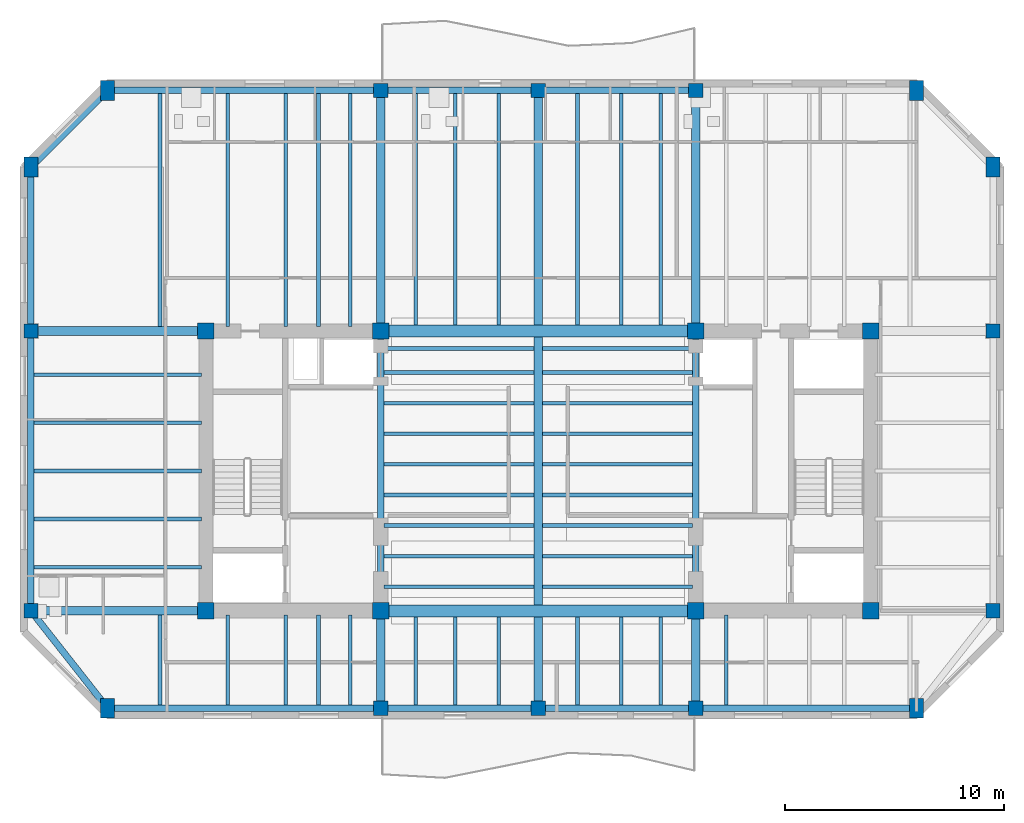
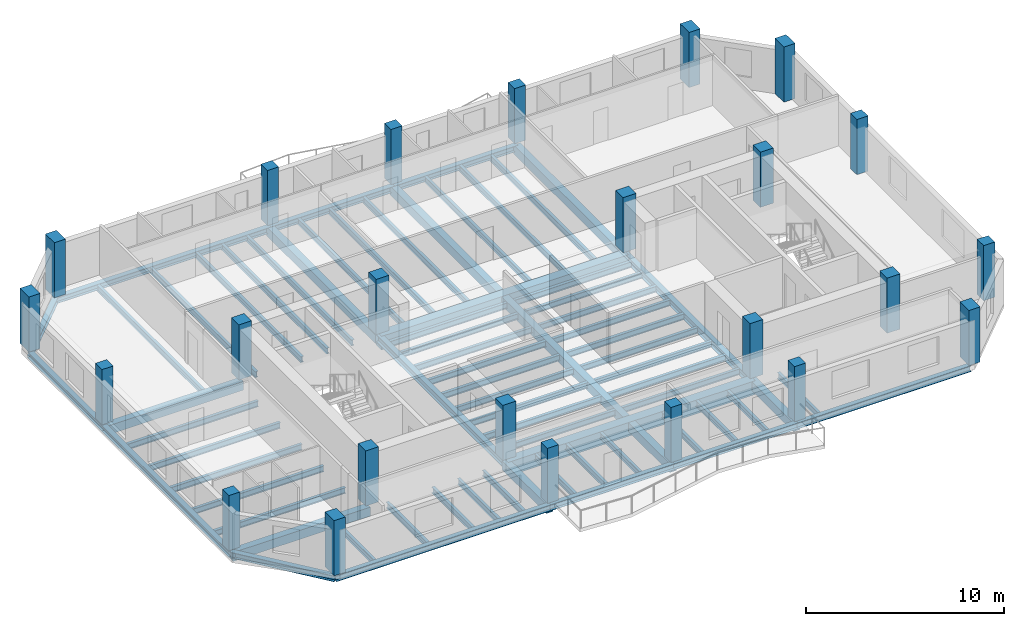
# One storey, part 1 of 10: 70 beams, 24 columns.
"""IFC4 building model written with IfcOpenShell, lengths in metres."""

import ifcopenshell
import ifcopenshell.guid

model = None  # the IFC model being written
_history = None  # IfcOwnerHistory: only IFC2X3 demands one
_inside = {}  # id of a spatial element -> (the spatial element, [elements in it])
_under = {}  # id of a project, library or spatial element -> (it, [spatial elements below it])
_declared = {}  # id of a project -> (the project, [libraries it declares])
_typed = {}  # id of a type object -> (the type object, [elements of that type])
_made_of = {}  # id of a material, layer set ... -> (it, [elements and type objects made of it])


def new_model(schema):
    """Start an empty IFC model of exactly this schema.

    Asked for "IFC4X3", IfcOpenShell would pick the latest addendum, in which some entities
    have other attributes; the version numbers below select the first issue.
    IFC2X3 requires an IfcOwnerHistory on every rooted entity: one is made here for all.
    """
    global model, _history
    if schema == "IFC4X3":
        model = ifcopenshell.file(schema_version=(4, 3, 0, 0))
    else:
        model = ifcopenshell.file(schema=schema)
    _inside.clear()
    _under.clear()
    _declared.clear()
    _typed.clear()
    _made_of.clear()
    _history = None
    if model.schema == "IFC2X3":
        org = make("IfcOrganization", Name="unknown")
        user = make(
            "IfcPersonAndOrganization",
            ThePerson=make("IfcPerson", FamilyName="unknown"),
            TheOrganization=org,
        )
        app = make(
            "IfcApplication",
            ApplicationDeveloper=org,
            Version="unknown",
            ApplicationFullName="unknown",
            ApplicationIdentifier="unknown",
        )
        _history = make(
            "IfcOwnerHistory",
            OwningUser=user,
            OwningApplication=app,
            ChangeAction="ADDED",
            CreationDate=0,
        )
    return model


def make(cls, **values):
    """One entity of the class cls with the attributes given. An attribute that is None is left unset."""
    return model.create_entity(
        cls, **{name: value for name, value in values.items() if value is not None}
    )


def rooted(cls, **values):
    """An entity with a GlobalId (a new one), such as an element, a storey or a relation."""
    return make(cls, GlobalId=ifcopenshell.guid.new(), OwnerHistory=_history, **values)


def si_unit(unit_type, name, prefix=None):
    """IfcSIUnit, for example si_unit("LENGTHUNIT", "METRE", prefix="MILLI")."""
    return make("IfcSIUnit", UnitType=unit_type, Prefix=prefix, Name=name)


def assignment(units):
    """IfcUnitAssignment: the units of a project."""
    return None if units is None else make("IfcUnitAssignment", Units=units)


def point(xyz):
    """IfcCartesianPoint."""
    return None if xyz is None else make("IfcCartesianPoint", Coordinates=xyz)


def direction(xyz):
    """IfcDirection."""
    return None if xyz is None else make("IfcDirection", DirectionRatios=xyz)


def frame(location, z_axis=None, x_axis=None):
    """IfcAxis2Placement3D, a coordinate frame: its origin and axes. An axis left out is left unset."""
    return make(
        "IfcAxis2Placement3D",
        Location=point(location),
        Axis=direction(z_axis),
        RefDirection=direction(x_axis),
    )


def frame_2d(location, x_axis=None):
    """IfcAxis2Placement2D, a coordinate frame in the plane: its origin and x axis."""
    return make(
        "IfcAxis2Placement2D", Location=point(location), RefDirection=direction(x_axis)
    )


def origin():
    """The frame at (0, 0, 0) with its axes left unset."""
    return frame((0.0, 0.0, 0.0))


def origin_2d():
    """The frame at (0, 0) in the plane with its x axis left unset."""
    return frame_2d((0.0, 0.0))


def place(relative_to, where):
    """IfcLocalPlacement: puts the frame where relative to a parent placement (None: the world)."""
    return make(
        "IfcLocalPlacement", PlacementRelTo=relative_to, RelativePlacement=where
    )


def context(
    kind, dimensions, precision=None, world=None, true_north=None, identifier=None
):
    """IfcGeometricRepresentationContext, for example the 3D "Model" context."""
    return make(
        "IfcGeometricRepresentationContext",
        ContextIdentifier=identifier,
        ContextType=kind,
        CoordinateSpaceDimension=dimensions,
        Precision=precision,
        WorldCoordinateSystem=world,
        TrueNorth=true_north,
    )


def subcontext(parent, identifier, kind, view, scale=None):
    """IfcGeometricRepresentationSubContext, for example "Body" below "Model"."""
    return make(
        "IfcGeometricRepresentationSubContext",
        ContextIdentifier=identifier,
        ContextType=kind,
        ParentContext=parent,
        TargetScale=scale,
        TargetView=view,
    )


def project(units=None, contexts=None):
    """IfcProject with its units and contexts."""
    return rooted(
        "IfcProject",
        Name="project",
        RepresentationContexts=contexts,
        UnitsInContext=assignment(units),
    )


def spatial(cls, under=None, at=None, **own):
    """A site, building, storey or space (cls), placed at a placement, below another one or the project."""
    s = rooted(cls, ObjectPlacement=at, **own)
    if under is not None:
        _under.setdefault(under.id(), (under, []))[1].append(s)
    return s


def profile(cls, at=None, kind="AREA", **sizes):
    """A parametric profile (cls). Its sizes go by their IFC names, for example OverallWidth=200.0."""
    return make(cls, ProfileType=kind, Position=at, **sizes)


def rectangle(**sizes):
    """IfcRectangleProfileDef."""
    return profile("IfcRectangleProfileDef", **sizes)


def i_section(**sizes):
    """IfcIShapeProfileDef."""
    return profile("IfcIShapeProfileDef", **sizes)


def extrude(swept, where, along, depth):
    """IfcExtrudedAreaSolid: the profile swept, set in the frame where, extruded along a direction by depth."""
    return make(
        "IfcExtrudedAreaSolid",
        SweptArea=swept,
        Position=where,
        ExtrudedDirection=direction(along),
        Depth=depth,
    )


def shape(context_of_items, identifier, shape_type, items):
    """IfcShapeRepresentation: the items that make up one representation, for example the "Body"."""
    return make(
        "IfcShapeRepresentation",
        ContextOfItems=context_of_items,
        RepresentationIdentifier=identifier,
        RepresentationType=shape_type,
        Items=items,
    )


def material(Name=None, Category=None):
    """IfcMaterial."""
    return make("IfcMaterial", Name=Name, Category=Category)


def material_profile(
    of_material, cross_section, Name=None, Category=None, Priority=None
):
    """IfcMaterialProfile: a cross section and its material."""
    return make(
        "IfcMaterialProfile",
        Name=Name,
        Material=of_material,
        Profile=cross_section,
        Priority=Priority,
        Category=Category,
    )


def profile_set(profiles, Name=None, composite=None):
    """IfcMaterialProfileSet."""
    return make(
        "IfcMaterialProfileSet",
        Name=Name,
        MaterialProfiles=profiles,
        CompositeProfile=composite,
    )


def made_of(thing, what):
    """Note that an element or type object is made of a material, layer set ...; save() writes the relation."""
    if what is not None:
        _made_of.setdefault(what.id(), (what, []))[1].append(thing)
    return thing


def type_object(cls, material=None, **own):
    """A type object (cls), such as IfcWallType, which elements share."""
    return made_of(rooted(cls, **own), material)


def element(
    cls,
    number,
    at=None,
    inside=None,
    cuts=None,
    type_object=None,
    material=None,
    context=None,
    identifier="Body",
    shape_type=None,
    held_by="IfcProductDefinitionShape",
    body=None,
    shapes=None,
    **own,
):
    """One element of the class cls, such as IfcWall. Its Tag is "e" and its number.

    at: its placement. inside: the storey or other place that contains it. cuts: it is an
    opening in that element (IfcRelVoidsElement). A single representation is given by context,
    identifier, shape_type and body (its items); several are given by shapes. held_by: the class
    of the entity that holds the representations. save() writes the other relations.
    """
    e = rooted(cls, Tag="e%d" % number, ObjectPlacement=at, **own)
    if body is not None:
        shapes = [shape(context, identifier, shape_type, body)]
    if shapes is not None:
        e.Representation = make(held_by, Representations=shapes)
    if inside is not None:
        _inside.setdefault(inside.id(), (inside, []))[1].append(e)
    if cuts is not None:
        rooted(
            "IfcRelVoidsElement", RelatingBuildingElement=cuts, RelatedOpeningElement=e
        )
    if type_object is not None:
        _typed.setdefault(type_object.id(), (type_object, []))[1].append(e)
    return made_of(e, material)


def aggregate(whole, parts):
    """IfcRelAggregates: a whole, such as a stair, and the parts it consists of."""
    return rooted("IfcRelAggregates", RelatingObject=whole, RelatedObjects=parts)


def save(model, path):
    """Write the relations noted so far, then the file.

    IfcRelAggregates (storeys below a building ...), IfcRelContainedInSpatialStructure (elements
    in a storey), IfcRelDefinesByType, IfcRelAssociatesMaterial and IfcRelDeclares: one each for
    every whole, place, type object, material and project.
    """
    for whole, parts in _under.values():
        aggregate(whole, parts)
    for where, things in _inside.values():
        rooted(
            "IfcRelContainedInSpatialStructure",
            RelatedElements=things,
            RelatingStructure=where,
        )
    for kind, things in _typed.values():
        rooted("IfcRelDefinesByType", RelatedObjects=things, RelatingType=kind)
    for what, things in _made_of.values():
        rooted("IfcRelAssociatesMaterial", RelatedObjects=things, RelatingMaterial=what)
    for by, libraries in _declared.values():
        rooted("IfcRelDeclares", RelatingContext=by, RelatedDefinitions=libraries)
    model.write(path)


model = new_model("IFC4")

# Units and contexts
model_context = context("Model", 3, precision=1e-05, world=origin(), true_north=direction((0.0, 1.0)))
body_context = subcontext(model_context, "Body", "Model", "MODEL_VIEW")
ifc_project = project(units=[si_unit("LENGTHUNIT", "METRE"), si_unit("AREAUNIT", "SQUARE_METRE"), si_unit("VOLUMEUNIT", "CUBIC_METRE"), si_unit("PLANEANGLEUNIT", "RADIAN"), si_unit("MASSUNIT", "GRAM", prefix="KILO")], contexts=[model_context])

# Site, building, storey
site_placement = place(None, origin())
site = spatial("IfcSite", under=ifc_project, at=site_placement, CompositionType="ELEMENT")
building_placement = place(site_placement, origin())
building = spatial("IfcBuilding", under=site, at=building_placement, Name="Kranthara Brick Stack", CompositionType="ELEMENT")
storey_placement = place(building_placement, frame((0.0, 0.0, 272.10009765625)))
storey = spatial("IfcBuildingStorey", under=building, at=storey_placement, Name="L72", CompositionType="ELEMENT", Elevation=272.10009765625)

# Columns
ifc_material_1 = material(Name="Concrete C50/60", Category="concrete")
ifc_material_profile_1 = material_profile(ifc_material_1, rectangle(XDim=0.64990234375, YDim=0.89990234375, at=origin_2d()), Name="RC 650x900")
ifc_profile_set_1 = profile_set([ifc_material_profile_1], Name="Concrete C50/60")
column_type_1 = type_object("IfcColumnType", Name="COL-CHAM-650x900", PredefinedType="COLUMN", material=ifc_profile_set_1)
for number, where, z_axis, x_axis, name in (
    (1, (8.300048828125, 16.35009765625, 0.0), (0.0, 0.0, 1.0), (1.0, 0.0, 0.0), "L72 Column 09"),
    (2, (8.300048828125, 44.60009765625, 0.0), (0.0, 0.0, 1.0), (1.0, 0.0, 0.0), "L72 Column 10"),
    (3, (45.300048828125, 16.35009765625, 0.0), (0.0, 0.0, 1.0), (1.0, 0.0, 0.0), "L72 Column 17"),
    (4, (45.300048828125, 44.60009765625, 0.0), (0.0, 0.0, 1.0), (1.0, 0.0, 0.0), "L72 Column 18"),
    (5, (4.800048828125, 41.10009765625, 0.0), (0.0, 0.0, 1.0), (1.0, 0.0, 0.0), "L72 Column 23"),
    (6, (48.800048828125, 41.10009765625, 0.0), (0.0, 0.0, 1.0), (1.0, 0.0, 0.0), "L72 Column 24"),
):
    element("IfcColumn", number, at=place(storey_placement, frame(where, z_axis=z_axis, x_axis=x_axis)), inside=storey, type_object=column_type_1, Name=name, PredefinedType="COLUMN", context=body_context, shape_type="SweptSolid", body=[
        extrude(rectangle(XDim=0.64990234375, YDim=0.89990234375, at=origin_2d()), origin(), (0.0, 0.0, 1.0), 3.39990234375),
    ])
ifc_material_2 = material(Name="Concrete C50/60", Category="concrete")
ifc_material_profile_2 = material_profile(ifc_material_2, rectangle(XDim=0.75, YDim=0.75, at=origin_2d()), Name="RC 750x750")
ifc_profile_set_2 = profile_set([ifc_material_profile_2], Name="Concrete C50/60")
column_type_2 = type_object("IfcColumnType", Name="COL-CORE-750", PredefinedType="COLUMN", material=ifc_profile_set_2)
for number, where, z_axis, x_axis, name in (
    (7, (12.800048828125, 20.800048828125, 0.0), (0.0, 0.0, 1.0), (1.0, 0.0, 0.0), "L72 Column 01"),
    (8, (20.800048828125, 20.800048828125, 0.0), (0.0, 0.0, 1.0), (1.0, 0.0, 0.0), "L72 Column 02"),
    (9, (12.800048828125, 33.60009765625, 0.0), (0.0, 0.0, 1.0), (1.0, 0.0, 0.0), "L72 Column 03"),
    (10, (20.800048828125, 33.60009765625, 0.0), (0.0, 0.0, 1.0), (1.0, 0.0, 0.0), "L72 Column 04"),
    (11, (35.199951171875, 20.800048828125, 0.0), (0.0, 0.0, 1.0), (1.0, 0.0, 0.0), "L72 Column 05"),
    (12, (43.199951171875, 20.800048828125, 0.0), (0.0, 0.0, 1.0), (1.0, 0.0, 0.0), "L72 Column 06"),
    (13, (35.199951171875, 33.60009765625, 0.0), (0.0, 0.0, 1.0), (1.0, 0.0, 0.0), "L72 Column 07"),
    (14, (43.199951171875, 33.60009765625, 0.0), (0.0, 0.0, 1.0), (1.0, 0.0, 0.0), "L72 Column 08"),
):
    element("IfcColumn", number, at=place(storey_placement, frame(where, z_axis=z_axis, x_axis=x_axis)), inside=storey, type_object=column_type_2, Name=name, PredefinedType="COLUMN", context=body_context, shape_type="SweptSolid", body=[
        extrude(rectangle(XDim=0.75, YDim=0.75, at=origin_2d()), origin(), (0.0, 0.0, 1.0), 3.39990234375),
    ])
ifc_material_3 = material(Name="Concrete C50/60", Category="concrete")
ifc_material_profile_3 = material_profile(ifc_material_3, rectangle(XDim=0.64990234375, YDim=0.64990234375, at=origin_2d()), Name="RC 650x650")
ifc_profile_set_3 = profile_set([ifc_material_profile_3], Name="Concrete C50/60")
column_type_3 = type_object("IfcColumnType", Name="COL-PER-650", PredefinedType="COLUMN", material=ifc_profile_set_3)
for number, where, z_axis, x_axis, name in (
    (15, (20.800048828125, 16.35009765625, 0.0), (0.0, 0.0, 1.0), (1.0, 0.0, 0.0), "L72 Column 11"),
    (16, (20.800048828125, 44.60009765625, 0.0), (0.0, 0.0, 1.0), (1.0, 0.0, 0.0), "L72 Column 12"),
    (17, (28.0, 16.35009765625, 0.0), (0.0, 0.0, 1.0), (1.0, 0.0, 0.0), "L72 Column 13"),
    (18, (28.0, 44.60009765625, 0.0), (0.0, 0.0, 1.0), (1.0, 0.0, 0.0), "L72 Column 14"),
    (19, (35.199951171875, 16.35009765625, 0.0), (0.0, 0.0, 1.0), (1.0, 0.0, 0.0), "L72 Column 15"),
    (20, (35.199951171875, 44.60009765625, 0.0), (0.0, 0.0, 1.0), (1.0, 0.0, 0.0), "L72 Column 16"),
    (21, (4.800048828125, 20.800048828125, 0.0), (0.0, 0.0, 1.0), (1.0, 0.0, 0.0), "L72 Column 19"),
    (22, (48.800048828125, 20.800048828125, 0.0), (0.0, 0.0, 1.0), (1.0, 0.0, 0.0), "L72 Column 20"),
    (23, (4.800048828125, 33.60009765625, 0.0), (0.0, 0.0, 1.0), (1.0, 0.0, 0.0), "L72 Column 21"),
    (24, (48.800048828125, 33.60009765625, 0.0), (0.0, 0.0, 1.0), (1.0, 0.0, 0.0), "L72 Column 22"),
):
    element("IfcColumn", number, at=place(storey_placement, frame(where, z_axis=z_axis, x_axis=x_axis)), inside=storey, type_object=column_type_3, Name=name, PredefinedType="COLUMN", context=body_context, shape_type="SweptSolid", body=[
        extrude(rectangle(XDim=0.64990234375, YDim=0.64990234375, at=origin_2d()), origin(), (0.0, 0.0, 1.0), 3.39990234375),
    ])

# Beams
ifc_material_4 = material(Name="Concrete C50/60", Category="concrete")
ifc_material_profile_4 = material_profile(ifc_material_4, rectangle(XDim=0.550048828125, YDim=0.85009765625, at=origin_2d()), Name="RC 550x850")
ifc_profile_set_4 = profile_set([ifc_material_profile_4], Name="Concrete C50/60")
beam_type_1 = type_object("IfcBeamType", Name="BM-CPL-RC850", PredefinedType="LINTEL", material=ifc_profile_set_4)
for number, where, z_axis, x_axis, name in (
    (25, (20.800048828125, 20.800048828125, -0.72509765625), (1.0, 0.0, 0.0), (0.0, 1.0, 0.0), "L72 Core Coupling Beam 001"),
    (26, (20.800048828125, 33.60009765625, -0.72509765625), (1.0, 0.0, 0.0), (0.0, 1.0, 0.0), "L72 Core Coupling Beam 002"),
):
    element("IfcBeam", number, at=place(storey_placement, frame(where, z_axis=z_axis, x_axis=x_axis)), inside=storey, type_object=beam_type_1, Name=name, PredefinedType="LINTEL", context=body_context, shape_type="SweptSolid", body=[
        extrude(rectangle(XDim=0.550048828125, YDim=0.85009765625, at=origin_2d()), origin(), (0.0, 0.0, 1.0), 14.39990234375),
    ])
ifc_material_5 = material(Name="Post-tensioned concrete C45/55", Category="concrete")
ifc_material_profile_5 = material_profile(ifc_material_5, rectangle(XDim=0.39990234375, YDim=0.550048828125, at=origin_2d()), Name="PT 400x550")
ifc_profile_set_5 = profile_set([ifc_material_profile_5], Name="Post-tensioned concrete C45/55")
beam_type_2 = type_object("IfcBeamType", Name="BM-FLR-PT550", PredefinedType="BEAM", material=ifc_profile_set_5)
beam_1_placement = place(storey_placement, frame((20.800048828125, 16.35009765625, -0.5751953125), z_axis=(0.0, 1.0, 0.0), x_axis=(-1.0, 0.0, 0.0)))
element("IfcBeam", 27, at=beam_1_placement, inside=storey, type_object=beam_type_2, Name="L72 Primary Grid Girder 021", PredefinedType="BEAM", context=body_context, shape_type="SweptSolid", body=[
    extrude(rectangle(XDim=0.39990234375, YDim=0.550048828125, at=origin_2d()), origin(), (0.0, 0.0, 1.0), 4.449951171875),
])
beam_2_placement = place(storey_placement, frame((20.800048828125, 33.60009765625, -0.5751953125), z_axis=(0.0, 1.0, 0.0), x_axis=(-1.0, 0.0, 0.0)))
element("IfcBeam", 28, at=beam_2_placement, inside=storey, type_object=beam_type_2, Name="L72 Primary Grid Girder 022", PredefinedType="BEAM", context=body_context, shape_type="SweptSolid", body=[
    extrude(rectangle(XDim=0.39990234375, YDim=0.550048828125, at=origin_2d()), origin(), (0.0, 0.0, 1.0), 11.0),
])
beam_3_placement = place(storey_placement, frame((28.0, 16.35009765625, -0.5751953125), z_axis=(0.0, 1.0, 0.0), x_axis=(-1.0, 0.0, 0.0)))
element("IfcBeam", 29, at=beam_3_placement, inside=storey, type_object=beam_type_2, Name="L72 Primary Grid Girder 023", PredefinedType="BEAM", context=body_context, shape_type="SweptSolid", body=[
    extrude(rectangle(XDim=0.39990234375, YDim=0.550048828125, at=origin_2d()), origin(), (0.0, 0.0, 1.0), 4.1748046875),
])
beam_4_placement = place(storey_placement, frame((28.0, 21.074951171875, -0.5751953125), z_axis=(0.0, 1.0, 0.0), x_axis=(-1.0, 0.0, 0.0)))
element("IfcBeam", 30, at=beam_4_placement, inside=storey, type_object=beam_type_2, Name="L72 Central Spine Girder 024", PredefinedType="BEAM", context=body_context, shape_type="SweptSolid", body=[
    extrude(rectangle(XDim=0.39990234375, YDim=0.550048828125, at=origin_2d()), origin(), (0.0, 0.0, 1.0), 12.25),
])
beam_5_placement = place(storey_placement, frame((28.0, 33.875, -0.5751953125), z_axis=(0.0, 1.0, 0.0), x_axis=(-1.0, 0.0, 0.0)))
element("IfcBeam", 31, at=beam_5_placement, inside=storey, type_object=beam_type_2, Name="L72 Primary Grid Girder 025", PredefinedType="BEAM", context=body_context, shape_type="SweptSolid", body=[
    extrude(rectangle(XDim=0.39990234375, YDim=0.550048828125, at=origin_2d()), origin(), (0.0, 0.0, 1.0), 10.72509765625),
])
beam_6_placement = place(storey_placement, frame((35.199951171875, 16.35009765625, -0.5751953125), z_axis=(0.0, 1.0, 0.0), x_axis=(-1.0, 0.0, 0.0)))
element("IfcBeam", 32, at=beam_6_placement, inside=storey, type_object=beam_type_2, Name="L72 Primary Grid Girder 026", PredefinedType="BEAM", context=body_context, shape_type="SweptSolid", body=[
    extrude(rectangle(XDim=0.39990234375, YDim=0.550048828125, at=origin_2d()), origin(), (0.0, 0.0, 1.0), 4.449951171875),
])
beam_7_placement = place(storey_placement, frame((35.199951171875, 33.60009765625, -0.5751953125), z_axis=(0.0, 1.0, 0.0), x_axis=(-1.0, 0.0, 0.0)))
element("IfcBeam", 33, at=beam_7_placement, inside=storey, type_object=beam_type_2, Name="L72 Primary Grid Girder 027", PredefinedType="BEAM", context=body_context, shape_type="SweptSolid", body=[
    extrude(rectangle(XDim=0.39990234375, YDim=0.550048828125, at=origin_2d()), origin(), (0.0, 0.0, 1.0), 11.0),
])
for number, where, z_axis, x_axis, name in (
    (34, (4.800048828125, 20.800048828125, -0.5751953125), (1.0, 0.0, 0.0), (0.0, 1.0, 0.0), "L72 Primary Grid Girder 028"),
    (35, (4.800048828125, 33.60009765625, -0.5751953125), (1.0, 0.0, 0.0), (0.0, 1.0, 0.0), "L72 Primary Grid Girder 030"),
):
    element("IfcBeam", number, at=place(storey_placement, frame(where, z_axis=z_axis, x_axis=x_axis)), inside=storey, type_object=beam_type_2, Name=name, PredefinedType="BEAM", context=body_context, shape_type="SweptSolid", body=[
        extrude(rectangle(XDim=0.39990234375, YDim=0.550048828125, at=origin_2d()), origin(), (0.0, 0.0, 1.0), 8.0),
    ])
ifc_material_6 = material(Name="Steel S355", Category="steel")
ifc_material_profile_6 = material_profile(ifc_material_6, i_section(OverallWidth=0.169921875, OverallDepth=0.360107421875, WebThickness=0.008056640625, FlangeThickness=0.0126953125, at=origin_2d()), Name="IPE 360")
ifc_profile_set_6 = profile_set([ifc_material_profile_6], Name="Steel S355")
beam_type_3 = type_object("IfcBeamType", Name="BM-JST-IPE360", PredefinedType="JOIST", material=ifc_profile_set_6)
for number, where, z_axis, x_axis, name in (
    (36, (20.949951171875, 21.89990234375, -0.47998046875), (1.0, 0.0, 0.0), (0.0, 1.0, 0.0), "L72 Central Floor Joist 032"),
    (37, (28.199951171875, 21.89990234375, -0.47998046875), (1.0, 0.0, 0.0), (0.0, 1.0, 0.0), "L72 Central Floor Joist 033"),
    (38, (20.949951171875, 23.300048828125, -0.47998046875), (1.0, 0.0, 0.0), (0.0, 1.0, 0.0), "L72 Central Floor Joist 034"),
    (39, (28.199951171875, 23.300048828125, -0.47998046875), (1.0, 0.0, 0.0), (0.0, 1.0, 0.0), "L72 Central Floor Joist 035"),
    (40, (20.949951171875, 24.699951171875, -0.47998046875), (1.0, 0.0, 0.0), (0.0, 1.0, 0.0), "L72 Central Floor Joist 036"),
    (41, (28.199951171875, 24.699951171875, -0.47998046875), (1.0, 0.0, 0.0), (0.0, 1.0, 0.0), "L72 Central Floor Joist 037"),
    (42, (20.949951171875, 26.10009765625, -0.47998046875), (1.0, 0.0, 0.0), (0.0, 1.0, 0.0), "L72 Central Floor Joist 038"),
    (43, (28.199951171875, 26.10009765625, -0.47998046875), (1.0, 0.0, 0.0), (0.0, 1.0, 0.0), "L72 Central Floor Joist 039"),
    (44, (20.949951171875, 27.5, -0.47998046875), (1.0, 0.0, 0.0), (0.0, 1.0, 0.0), "L72 Central Floor Joist 040"),
    (45, (28.199951171875, 27.5, -0.47998046875), (1.0, 0.0, 0.0), (0.0, 1.0, 0.0), "L72 Central Floor Joist 041"),
    (46, (20.949951171875, 28.89990234375, -0.47998046875), (1.0, 0.0, 0.0), (0.0, 1.0, 0.0), "L72 Central Floor Joist 042"),
    (47, (28.199951171875, 28.89990234375, -0.47998046875), (1.0, 0.0, 0.0), (0.0, 1.0, 0.0), "L72 Central Floor Joist 043"),
    (48, (20.949951171875, 30.300048828125, -0.47998046875), (1.0, 0.0, 0.0), (0.0, 1.0, 0.0), "L72 Central Floor Joist 044"),
    (49, (28.199951171875, 30.300048828125, -0.47998046875), (1.0, 0.0, 0.0), (0.0, 1.0, 0.0), "L72 Central Floor Joist 045"),
    (50, (20.949951171875, 31.699951171875, -0.47998046875), (1.0, 0.0, 0.0), (0.0, 1.0, 0.0), "L72 Central Floor Joist 046"),
    (51, (28.199951171875, 31.699951171875, -0.47998046875), (1.0, 0.0, 0.0), (0.0, 1.0, 0.0), "L72 Central Floor Joist 047"),
    (52, (20.949951171875, 32.800048828125, -0.47998046875), (1.0, 0.0, 0.0), (0.0, 1.0, 0.0), "L72 Central Floor Joist 048"),
    (53, (28.199951171875, 32.800048828125, -0.47998046875), (1.0, 0.0, 0.0), (0.0, 1.0, 0.0), "L72 Central Floor Joist 049"),
):
    element("IfcBeam", number, at=place(storey_placement, frame(where, z_axis=z_axis, x_axis=x_axis)), inside=storey, type_object=beam_type_3, Name=name, PredefinedType="JOIST", context=body_context, shape_type="SweptSolid", body=[
        extrude(i_section(OverallWidth=0.169921875, OverallDepth=0.360107421875, WebThickness=0.008056640625, FlangeThickness=0.0126953125, at=origin_2d()), origin(), (0.0, 0.0, 1.0), 6.85009765625),
    ])
beam_8_placement = place(storey_placement, frame((10.699951171875, 16.5, -0.47998046875), z_axis=(0.0, 1.0, 0.0), x_axis=(-1.0, 0.0, 0.0)))
element("IfcBeam", 54, at=beam_8_placement, inside=storey, type_object=beam_type_3, Name="L72 South Wing Floor Joist 050", PredefinedType="JOIST", context=body_context, shape_type="SweptSolid", body=[
    extrude(i_section(OverallWidth=0.169921875, OverallDepth=0.360107421875, WebThickness=0.008056640625, FlangeThickness=0.0126953125, at=origin_2d()), origin(), (0.0, 0.0, 1.0), 4.10009765625),
])
beam_9_placement = place(storey_placement, frame((10.699951171875, 33.800048828125, -0.47998046875), z_axis=(0.0, 1.0, 0.0), x_axis=(-1.0, 0.0, 0.0)))
element("IfcBeam", 55, at=beam_9_placement, inside=storey, type_object=beam_type_3, Name="L72 North Wing Floor Joist 051", PredefinedType="JOIST", context=body_context, shape_type="SweptSolid", body=[
    extrude(i_section(OverallWidth=0.169921875, OverallDepth=0.360107421875, WebThickness=0.008056640625, FlangeThickness=0.0126953125, at=origin_2d()), origin(), (0.0, 0.0, 1.0), 10.64990234375),
])
beam_10_placement = place(storey_placement, frame((13.800048828125, 16.5, -0.47998046875), z_axis=(0.0, 1.0, 0.0), x_axis=(-1.0, 0.0, 0.0)))
element("IfcBeam", 56, at=beam_10_placement, inside=storey, type_object=beam_type_3, Name="L72 South Wing Floor Joist 052", PredefinedType="JOIST", context=body_context, shape_type="SweptSolid", body=[
    extrude(i_section(OverallWidth=0.169921875, OverallDepth=0.360107421875, WebThickness=0.008056640625, FlangeThickness=0.0126953125, at=origin_2d()), origin(), (0.0, 0.0, 1.0), 4.10009765625),
])
beam_11_placement = place(storey_placement, frame((13.800048828125, 33.800048828125, -0.47998046875), z_axis=(0.0, 1.0, 0.0), x_axis=(-1.0, 0.0, 0.0)))
element("IfcBeam", 57, at=beam_11_placement, inside=storey, type_object=beam_type_3, Name="L72 North Wing Floor Joist 053", PredefinedType="JOIST", context=body_context, shape_type="SweptSolid", body=[
    extrude(i_section(OverallWidth=0.169921875, OverallDepth=0.360107421875, WebThickness=0.008056640625, FlangeThickness=0.0126953125, at=origin_2d()), origin(), (0.0, 0.0, 1.0), 10.64990234375),
])
beam_12_placement = place(storey_placement, frame((16.449951171875, 16.5, -0.47998046875), z_axis=(0.0, 1.0, 0.0), x_axis=(-1.0, 0.0, 0.0)))
element("IfcBeam", 58, at=beam_12_placement, inside=storey, type_object=beam_type_3, Name="L72 South Wing Floor Joist 054", PredefinedType="JOIST", context=body_context, shape_type="SweptSolid", body=[
    extrude(i_section(OverallWidth=0.169921875, OverallDepth=0.360107421875, WebThickness=0.008056640625, FlangeThickness=0.0126953125, at=origin_2d()), origin(), (0.0, 0.0, 1.0), 4.10009765625),
])
beam_13_placement = place(storey_placement, frame((16.449951171875, 33.800048828125, -0.47998046875), z_axis=(0.0, 1.0, 0.0), x_axis=(-1.0, 0.0, 0.0)))
element("IfcBeam", 59, at=beam_13_placement, inside=storey, type_object=beam_type_3, Name="L72 North Wing Floor Joist 055", PredefinedType="JOIST", context=body_context, shape_type="SweptSolid", body=[
    extrude(i_section(OverallWidth=0.169921875, OverallDepth=0.360107421875, WebThickness=0.008056640625, FlangeThickness=0.0126953125, at=origin_2d()), origin(), (0.0, 0.0, 1.0), 10.64990234375),
])
beam_14_placement = place(storey_placement, frame((17.949951171875, 16.5, -0.47998046875), z_axis=(0.0, 1.0, 0.0), x_axis=(-1.0, 0.0, 0.0)))
element("IfcBeam", 60, at=beam_14_placement, inside=storey, type_object=beam_type_3, Name="L72 South Wing Floor Joist 056", PredefinedType="JOIST", context=body_context, shape_type="SweptSolid", body=[
    extrude(i_section(OverallWidth=0.169921875, OverallDepth=0.360107421875, WebThickness=0.008056640625, FlangeThickness=0.0126953125, at=origin_2d()), origin(), (0.0, 0.0, 1.0), 4.10009765625),
])
beam_15_placement = place(storey_placement, frame((17.949951171875, 33.800048828125, -0.47998046875), z_axis=(0.0, 1.0, 0.0), x_axis=(-1.0, 0.0, 0.0)))
element("IfcBeam", 61, at=beam_15_placement, inside=storey, type_object=beam_type_3, Name="L72 North Wing Floor Joist 057", PredefinedType="JOIST", context=body_context, shape_type="SweptSolid", body=[
    extrude(i_section(OverallWidth=0.169921875, OverallDepth=0.360107421875, WebThickness=0.008056640625, FlangeThickness=0.0126953125, at=origin_2d()), origin(), (0.0, 0.0, 1.0), 10.64990234375),
])
beam_16_placement = place(storey_placement, frame((19.39990234375, 16.5, -0.47998046875), z_axis=(0.0, 1.0, 0.0), x_axis=(-1.0, 0.0, 0.0)))
element("IfcBeam", 62, at=beam_16_placement, inside=storey, type_object=beam_type_3, Name="L72 South Wing Floor Joist 058", PredefinedType="JOIST", context=body_context, shape_type="SweptSolid", body=[
    extrude(i_section(OverallWidth=0.169921875, OverallDepth=0.360107421875, WebThickness=0.008056640625, FlangeThickness=0.0126953125, at=origin_2d()), origin(), (0.0, 0.0, 1.0), 4.10009765625),
])
beam_17_placement = place(storey_placement, frame((19.39990234375, 33.800048828125, -0.47998046875), z_axis=(0.0, 1.0, 0.0), x_axis=(-1.0, 0.0, 0.0)))
element("IfcBeam", 63, at=beam_17_placement, inside=storey, type_object=beam_type_3, Name="L72 North Wing Floor Joist 059", PredefinedType="JOIST", context=body_context, shape_type="SweptSolid", body=[
    extrude(i_section(OverallWidth=0.169921875, OverallDepth=0.360107421875, WebThickness=0.008056640625, FlangeThickness=0.0126953125, at=origin_2d()), origin(), (0.0, 0.0, 1.0), 10.64990234375),
])
beam_18_placement = place(storey_placement, frame((22.39990234375, 16.5, -0.47998046875), z_axis=(0.0, 1.0, 0.0), x_axis=(-1.0, 0.0, 0.0)))
element("IfcBeam", 64, at=beam_18_placement, inside=storey, type_object=beam_type_3, Name="L72 South Wing Floor Joist 060", PredefinedType="JOIST", context=body_context, shape_type="SweptSolid", body=[
    extrude(i_section(OverallWidth=0.169921875, OverallDepth=0.360107421875, WebThickness=0.008056640625, FlangeThickness=0.0126953125, at=origin_2d()), origin(), (0.0, 0.0, 1.0), 4.02490234375),
])
beam_19_placement = place(storey_placement, frame((22.39990234375, 33.875, -0.47998046875), z_axis=(0.0, 1.0, 0.0), x_axis=(-1.0, 0.0, 0.0)))
element("IfcBeam", 65, at=beam_19_placement, inside=storey, type_object=beam_type_3, Name="L72 North Wing Floor Joist 061", PredefinedType="JOIST", context=body_context, shape_type="SweptSolid", body=[
    extrude(i_section(OverallWidth=0.169921875, OverallDepth=0.360107421875, WebThickness=0.008056640625, FlangeThickness=0.0126953125, at=origin_2d()), origin(), (0.0, 0.0, 1.0), 10.574951171875),
])
beam_20_placement = place(storey_placement, frame((24.199951171875, 16.5, -0.47998046875), z_axis=(0.0, 1.0, 0.0), x_axis=(-1.0, 0.0, 0.0)))
element("IfcBeam", 66, at=beam_20_placement, inside=storey, type_object=beam_type_3, Name="L72 South Wing Floor Joist 062", PredefinedType="JOIST", context=body_context, shape_type="SweptSolid", body=[
    extrude(i_section(OverallWidth=0.169921875, OverallDepth=0.360107421875, WebThickness=0.008056640625, FlangeThickness=0.0126953125, at=origin_2d()), origin(), (0.0, 0.0, 1.0), 4.02490234375),
])
beam_21_placement = place(storey_placement, frame((24.199951171875, 33.875, -0.47998046875), z_axis=(0.0, 1.0, 0.0), x_axis=(-1.0, 0.0, 0.0)))
element("IfcBeam", 67, at=beam_21_placement, inside=storey, type_object=beam_type_3, Name="L72 North Wing Floor Joist 063", PredefinedType="JOIST", context=body_context, shape_type="SweptSolid", body=[
    extrude(i_section(OverallWidth=0.169921875, OverallDepth=0.360107421875, WebThickness=0.008056640625, FlangeThickness=0.0126953125, at=origin_2d()), origin(), (0.0, 0.0, 1.0), 10.574951171875),
])
beam_22_placement = place(storey_placement, frame((26.199951171875, 16.5, -0.47998046875), z_axis=(0.0, 1.0, 0.0), x_axis=(-1.0, 0.0, 0.0)))
element("IfcBeam", 68, at=beam_22_placement, inside=storey, type_object=beam_type_3, Name="L72 South Wing Floor Joist 064", PredefinedType="JOIST", context=body_context, shape_type="SweptSolid", body=[
    extrude(i_section(OverallWidth=0.169921875, OverallDepth=0.360107421875, WebThickness=0.008056640625, FlangeThickness=0.0126953125, at=origin_2d()), origin(), (0.0, 0.0, 1.0), 4.02490234375),
])
beam_23_placement = place(storey_placement, frame((26.199951171875, 33.875, -0.47998046875), z_axis=(0.0, 1.0, 0.0), x_axis=(-1.0, 0.0, 0.0)))
element("IfcBeam", 69, at=beam_23_placement, inside=storey, type_object=beam_type_3, Name="L72 North Wing Floor Joist 065", PredefinedType="JOIST", context=body_context, shape_type="SweptSolid", body=[
    extrude(i_section(OverallWidth=0.169921875, OverallDepth=0.360107421875, WebThickness=0.008056640625, FlangeThickness=0.0126953125, at=origin_2d()), origin(), (0.0, 0.0, 1.0), 10.574951171875),
])
beam_24_placement = place(storey_placement, frame((29.800048828125, 16.5, -0.47998046875), z_axis=(0.0, 1.0, 0.0), x_axis=(-1.0, 0.0, 0.0)))
element("IfcBeam", 70, at=beam_24_placement, inside=storey, type_object=beam_type_3, Name="L72 South Wing Floor Joist 066", PredefinedType="JOIST", context=body_context, shape_type="SweptSolid", body=[
    extrude(i_section(OverallWidth=0.169921875, OverallDepth=0.360107421875, WebThickness=0.008056640625, FlangeThickness=0.0126953125, at=origin_2d()), origin(), (0.0, 0.0, 1.0), 4.02490234375),
])
beam_25_placement = place(storey_placement, frame((29.800048828125, 33.875, -0.47998046875), z_axis=(0.0, 1.0, 0.0), x_axis=(-1.0, 0.0, 0.0)))
element("IfcBeam", 71, at=beam_25_placement, inside=storey, type_object=beam_type_3, Name="L72 North Wing Floor Joist 067", PredefinedType="JOIST", context=body_context, shape_type="SweptSolid", body=[
    extrude(i_section(OverallWidth=0.169921875, OverallDepth=0.360107421875, WebThickness=0.008056640625, FlangeThickness=0.0126953125, at=origin_2d()), origin(), (0.0, 0.0, 1.0), 10.574951171875),
])
beam_26_placement = place(storey_placement, frame((31.800048828125, 16.5, -0.47998046875), z_axis=(0.0, 1.0, 0.0), x_axis=(-1.0, 0.0, 0.0)))
element("IfcBeam", 72, at=beam_26_placement, inside=storey, type_object=beam_type_3, Name="L72 South Wing Floor Joist 068", PredefinedType="JOIST", context=body_context, shape_type="SweptSolid", body=[
    extrude(i_section(OverallWidth=0.169921875, OverallDepth=0.360107421875, WebThickness=0.008056640625, FlangeThickness=0.0126953125, at=origin_2d()), origin(), (0.0, 0.0, 1.0), 4.02490234375),
])
beam_27_placement = place(storey_placement, frame((31.800048828125, 33.875, -0.47998046875), z_axis=(0.0, 1.0, 0.0), x_axis=(-1.0, 0.0, 0.0)))
element("IfcBeam", 73, at=beam_27_placement, inside=storey, type_object=beam_type_3, Name="L72 North Wing Floor Joist 069", PredefinedType="JOIST", context=body_context, shape_type="SweptSolid", body=[
    extrude(i_section(OverallWidth=0.169921875, OverallDepth=0.360107421875, WebThickness=0.008056640625, FlangeThickness=0.0126953125, at=origin_2d()), origin(), (0.0, 0.0, 1.0), 10.574951171875),
])
beam_28_placement = place(storey_placement, frame((33.60009765625, 16.5, -0.47998046875), z_axis=(0.0, 1.0, 0.0), x_axis=(-1.0, 0.0, 0.0)))
element("IfcBeam", 74, at=beam_28_placement, inside=storey, type_object=beam_type_3, Name="L72 South Wing Floor Joist 070", PredefinedType="JOIST", context=body_context, shape_type="SweptSolid", body=[
    extrude(i_section(OverallWidth=0.169921875, OverallDepth=0.360107421875, WebThickness=0.008056640625, FlangeThickness=0.0126953125, at=origin_2d()), origin(), (0.0, 0.0, 1.0), 4.02490234375),
])
beam_29_placement = place(storey_placement, frame((33.60009765625, 33.875, -0.47998046875), z_axis=(0.0, 1.0, 0.0), x_axis=(-1.0, 0.0, 0.0)))
element("IfcBeam", 75, at=beam_29_placement, inside=storey, type_object=beam_type_3, Name="L72 North Wing Floor Joist 071", PredefinedType="JOIST", context=body_context, shape_type="SweptSolid", body=[
    extrude(i_section(OverallWidth=0.169921875, OverallDepth=0.360107421875, WebThickness=0.008056640625, FlangeThickness=0.0126953125, at=origin_2d()), origin(), (0.0, 0.0, 1.0), 10.574951171875),
])
beam_30_placement = place(storey_placement, frame((36.60009765625, 16.5, -0.47998046875), z_axis=(0.0, 1.0, 0.0), x_axis=(-1.0, 0.0, 0.0)))
element("IfcBeam", 76, at=beam_30_placement, inside=storey, type_object=beam_type_3, Name="L72 South Wing Floor Joist 072", PredefinedType="JOIST", context=body_context, shape_type="SweptSolid", body=[
    extrude(i_section(OverallWidth=0.169921875, OverallDepth=0.360107421875, WebThickness=0.008056640625, FlangeThickness=0.0126953125, at=origin_2d()), origin(), (0.0, 0.0, 1.0), 4.10009765625),
])
for number, where, z_axis, x_axis, name in (
    (77, (4.949951171875, 22.800048828125, -0.47998046875), (1.0, 0.0, 0.0), (0.0, 1.0, 0.0), "L72 West Wing Floor Joist 082"),
    (78, (4.949951171875, 25.0, -0.47998046875), (1.0, 0.0, 0.0), (0.0, 1.0, 0.0), "L72 West Wing Floor Joist 084"),
    (79, (4.949951171875, 27.199951171875, -0.47998046875), (1.0, 0.0, 0.0), (0.0, 1.0, 0.0), "L72 West Wing Floor Joist 086"),
    (80, (4.949951171875, 29.39990234375, -0.47998046875), (1.0, 0.0, 0.0), (0.0, 1.0, 0.0), "L72 West Wing Floor Joist 088"),
    (81, (4.949951171875, 31.60009765625, -0.47998046875), (1.0, 0.0, 0.0), (0.0, 1.0, 0.0), "L72 West Wing Floor Joist 090"),
):
    element("IfcBeam", number, at=place(storey_placement, frame(where, z_axis=z_axis, x_axis=x_axis)), inside=storey, type_object=beam_type_3, Name=name, PredefinedType="JOIST", context=body_context, shape_type="SweptSolid", body=[
        extrude(i_section(OverallWidth=0.169921875, OverallDepth=0.360107421875, WebThickness=0.008056640625, FlangeThickness=0.0126953125, at=origin_2d()), origin(), (0.0, 0.0, 1.0), 7.650146484375),
    ])
ifc_material_7 = material(Name="Steel S355", Category="steel")
ifc_material_profile_7 = material_profile(ifc_material_7, i_section(OverallWidth=0.300048828125, OverallDepth=0.360107421875, WebThickness=0.012451171875, FlangeThickness=0.0224609375, at=origin_2d()), Name="HEB 360")
ifc_profile_set_7 = profile_set([ifc_material_profile_7], Name="Steel S355")
beam_type_4 = type_object("IfcBeamType", Name="BM-STL-HEB360", PredefinedType="SPANDREL", material=ifc_profile_set_7)
beam_31_placement = place(storey_placement, frame((8.300048828125, 16.35009765625, -0.47998046875), z_axis=(1.0, 0.0, 0.0), x_axis=(0.0, 1.0, 0.0)))
element("IfcBeam", 82, at=beam_31_placement, inside=storey, type_object=beam_type_4, Name="L72 Perimeter Spandrel Beam 005", PredefinedType="SPANDREL", context=body_context, shape_type="SweptSolid", body=[
    extrude(i_section(OverallWidth=0.300048828125, OverallDepth=0.360107421875, WebThickness=0.012451171875, FlangeThickness=0.0224609375, at=origin_2d()), origin(), (0.0, 0.0, 1.0), 12.5),
])
for number, where, z_axis, x_axis, name in (
    (83, (20.800048828125, 16.35009765625, -0.47998046875), (1.0, 0.0, 0.0), (0.0, 1.0, 0.0), "L72 Perimeter Spandrel Beam 006"),
    (84, (28.0, 16.35009765625, -0.47998046875), (1.0, 0.0, 0.0), (0.0, 1.0, 0.0), "L72 Perimeter Spandrel Beam 007"),
):
    element("IfcBeam", number, at=place(storey_placement, frame(where, z_axis=z_axis, x_axis=x_axis)), inside=storey, type_object=beam_type_4, Name=name, PredefinedType="SPANDREL", context=body_context, shape_type="SweptSolid", body=[
        extrude(i_section(OverallWidth=0.300048828125, OverallDepth=0.360107421875, WebThickness=0.012451171875, FlangeThickness=0.0224609375, at=origin_2d()), origin(), (0.0, 0.0, 1.0), 7.199951171875),
    ])
beam_32_placement = place(storey_placement, frame((35.199951171875, 16.35009765625, -0.47998046875), z_axis=(1.0, 0.0, 0.0), x_axis=(0.0, 1.0, 0.0)))
element("IfcBeam", 85, at=beam_32_placement, inside=storey, type_object=beam_type_4, Name="L72 Perimeter Spandrel Beam 008", PredefinedType="SPANDREL", context=body_context, shape_type="SweptSolid", body=[
    extrude(i_section(OverallWidth=0.300048828125, OverallDepth=0.360107421875, WebThickness=0.012451171875, FlangeThickness=0.0224609375, at=origin_2d()), origin(), (0.0, 0.0, 1.0), 10.10009765625),
])
beam_33_placement = place(storey_placement, frame((8.300048828125, 44.60009765625, -0.47998046875), z_axis=(1.0, 0.0, 0.0), x_axis=(0.0, 1.0, 0.0)))
element("IfcBeam", 86, at=beam_33_placement, inside=storey, type_object=beam_type_4, Name="L72 Perimeter Spandrel Beam 009", PredefinedType="SPANDREL", context=body_context, shape_type="SweptSolid", body=[
    extrude(i_section(OverallWidth=0.300048828125, OverallDepth=0.360107421875, WebThickness=0.012451171875, FlangeThickness=0.0224609375, at=origin_2d()), origin(), (0.0, 0.0, 1.0), 12.5),
])
for number, where, z_axis, x_axis, name in (
    (87, (20.800048828125, 44.60009765625, -0.47998046875), (1.0, 0.0, 0.0), (0.0, 1.0, 0.0), "L72 Perimeter Spandrel Beam 010"),
    (88, (28.0, 44.60009765625, -0.47998046875), (1.0, 0.0, 0.0), (0.0, 1.0, 0.0), "L72 Perimeter Spandrel Beam 011"),
):
    element("IfcBeam", number, at=place(storey_placement, frame(where, z_axis=z_axis, x_axis=x_axis)), inside=storey, type_object=beam_type_4, Name=name, PredefinedType="SPANDREL", context=body_context, shape_type="SweptSolid", body=[
        extrude(i_section(OverallWidth=0.300048828125, OverallDepth=0.360107421875, WebThickness=0.012451171875, FlangeThickness=0.0224609375, at=origin_2d()), origin(), (0.0, 0.0, 1.0), 7.199951171875),
    ])
beam_34_placement = place(storey_placement, frame((4.800048828125, 20.800048828125, -0.47998046875), z_axis=(0.0, 1.0, 0.0), x_axis=(-1.0, 0.0, 0.0)))
element("IfcBeam", 89, at=beam_34_placement, inside=storey, type_object=beam_type_4, Name="L72 Perimeter Spandrel Beam 013", PredefinedType="SPANDREL", context=body_context, shape_type="SweptSolid", body=[
    extrude(i_section(OverallWidth=0.300048828125, OverallDepth=0.360107421875, WebThickness=0.012451171875, FlangeThickness=0.0224609375, at=origin_2d()), origin(), (0.0, 0.0, 1.0), 12.800048828125),
])
beam_35_placement = place(storey_placement, frame((4.800048828125, 33.60009765625, -0.47998046875), z_axis=(0.0, 1.0, 0.0), x_axis=(-1.0, 0.0, 0.0)))
element("IfcBeam", 90, at=beam_35_placement, inside=storey, type_object=beam_type_4, Name="L72 Perimeter Spandrel Beam 014", PredefinedType="SPANDREL", context=body_context, shape_type="SweptSolid", body=[
    extrude(i_section(OverallWidth=0.300048828125, OverallDepth=0.360107421875, WebThickness=0.012451171875, FlangeThickness=0.0224609375, at=origin_2d()), origin(), (0.0, 0.0, 1.0), 7.5),
])
beam_36_placement = place(storey_placement, frame((8.300048828125, 16.35009765625, -0.47998046875), z_axis=(-0.618215705636, 0.78600848679, 0.0), x_axis=(-0.78600848679, -0.618215705636, 0.0)))
element("IfcBeam", 91, at=beam_36_placement, inside=storey, type_object=beam_type_4, Name="L72 Chamfer Corner Spandrel 017", PredefinedType="SPANDREL", context=body_context, shape_type="SweptSolid", body=[
    extrude(i_section(OverallWidth=0.300048828125, OverallDepth=0.360107421875, WebThickness=0.012451171875, FlangeThickness=0.0224609375, at=origin_2d()), origin(), (0.0, 0.0, 1.0), 5.661376953125),
])
beam_37_placement = place(storey_placement, frame((8.300048828125, 44.60009765625, -0.47998046875), z_axis=(-0.707106781187, -0.707106781187, 0.0), x_axis=(0.707106781187, -0.707106781187, 0.0)))
element("IfcBeam", 92, at=beam_37_placement, inside=storey, type_object=beam_type_4, Name="L72 Chamfer Corner Spandrel 019", PredefinedType="SPANDREL", context=body_context, shape_type="SweptSolid", body=[
    extrude(i_section(OverallWidth=0.300048828125, OverallDepth=0.360107421875, WebThickness=0.012451171875, FlangeThickness=0.0224609375, at=origin_2d()), origin(), (0.0, 0.0, 1.0), 4.94970703125),
])
ifc_material_8 = material(Name="Steel S355", Category="steel")
ifc_material_profile_8 = material_profile(ifc_material_8, i_section(OverallWidth=0.300048828125, OverallDepth=0.449951171875, WebThickness=0.013916015625, FlangeThickness=0.02587890625, at=origin_2d()), Name="HEB 450")
ifc_profile_set_8 = profile_set([ifc_material_profile_8], Name="Steel S355")
beam_type_5 = type_object("IfcBeamType", Name="BM-STL-HEB450", PredefinedType="SPANDREL", material=ifc_profile_set_8)
for number, where, z_axis, x_axis, name in (
    (93, (20.800048828125, 20.800048828125, -0.525146484375), (0.0, 1.0, 0.0), (-1.0, 0.0, 0.0), "L72 Core Edge Tie Beam 003"),
    (94, (35.199951171875, 20.800048828125, -0.525146484375), (0.0, 1.0, 0.0), (-1.0, 0.0, 0.0), "L72 Core Edge Tie Beam 004"),
):
    element("IfcBeam", number, at=place(storey_placement, frame(where, z_axis=z_axis, x_axis=x_axis)), inside=storey, type_object=beam_type_5, Name=name, PredefinedType="SPANDREL", context=body_context, shape_type="SweptSolid", body=[
        extrude(i_section(OverallWidth=0.300048828125, OverallDepth=0.449951171875, WebThickness=0.013916015625, FlangeThickness=0.02587890625, at=origin_2d()), origin(), (0.0, 0.0, 1.0), 12.800048828125),
    ])

save(model, "model.ifc")
